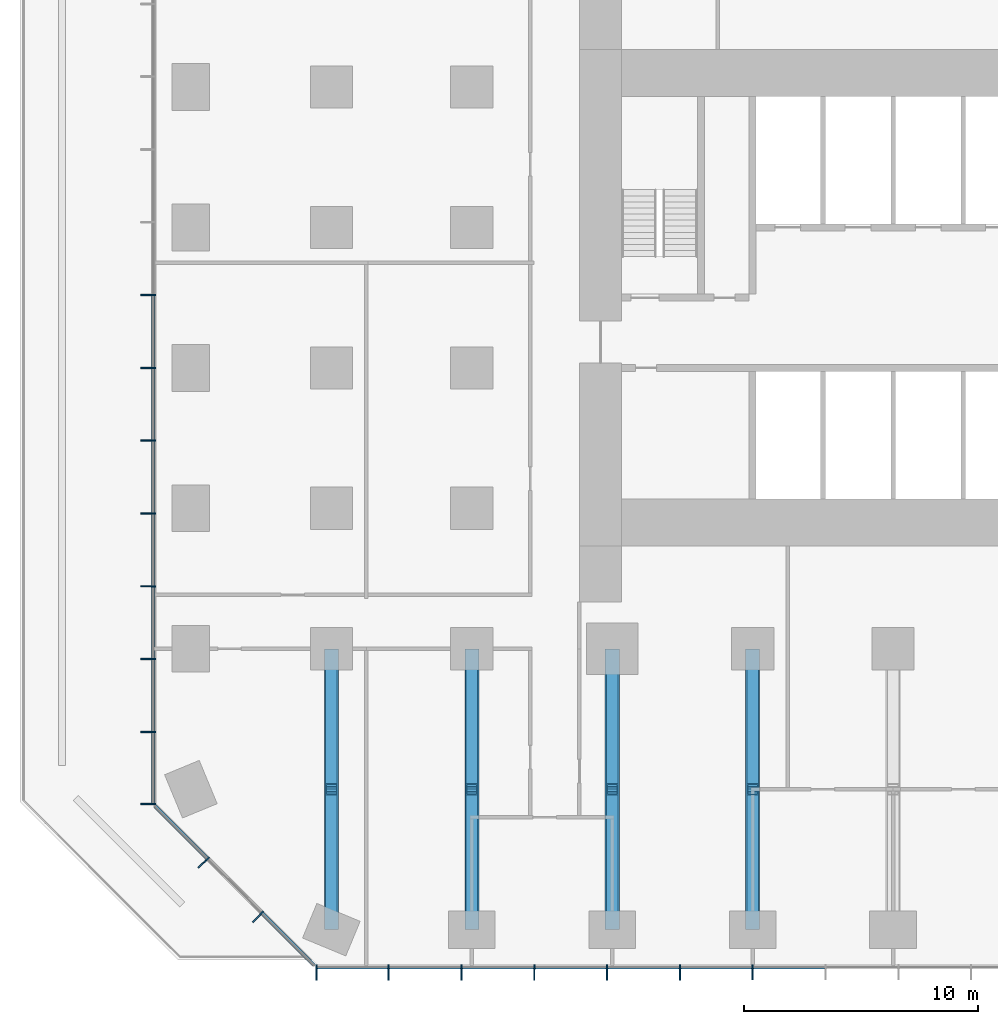
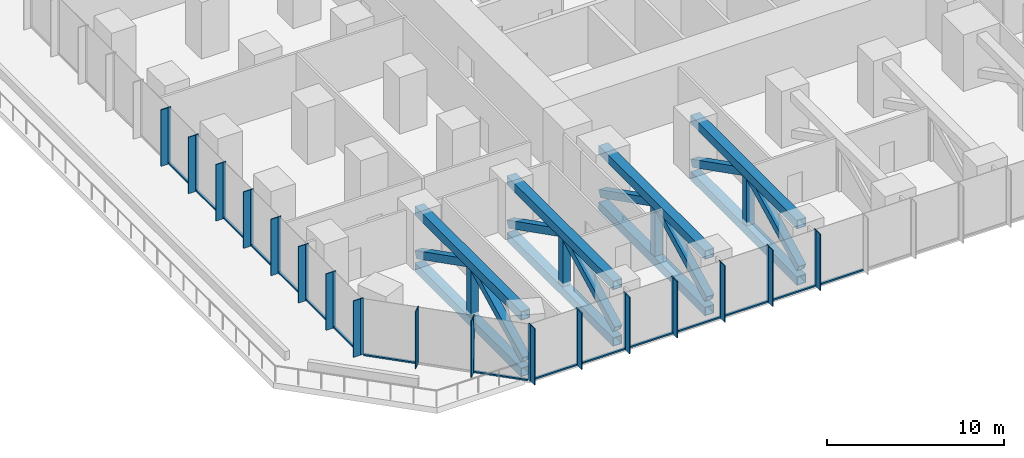
# One storey, part 2 of 11: 62 members, 8 beams, 3 elements without a shape of their own.
"""IFC4 building model written with IfcOpenShell, lengths in metres."""

import ifcopenshell
import ifcopenshell.guid

model = None  # the IFC model being written
_history = None  # IfcOwnerHistory: only IFC2X3 demands one
_inside = {}  # id of a spatial element -> (the spatial element, [elements in it])
_under = {}  # id of a project, library or spatial element -> (it, [spatial elements below it])
_declared = {}  # id of a project -> (the project, [libraries it declares])
_typed = {}  # id of a type object -> (the type object, [elements of that type])
_made_of = {}  # id of a material, layer set ... -> (it, [elements and type objects made of it])


def new_model(schema):
    """Start an empty IFC model of exactly this schema.

    Asked for "IFC4X3", IfcOpenShell would pick the latest addendum, in which some entities
    have other attributes; the version numbers below select the first issue.
    IFC2X3 requires an IfcOwnerHistory on every rooted entity: one is made here for all.
    """
    global model, _history
    if schema == "IFC4X3":
        model = ifcopenshell.file(schema_version=(4, 3, 0, 0))
    else:
        model = ifcopenshell.file(schema=schema)
    _inside.clear()
    _under.clear()
    _declared.clear()
    _typed.clear()
    _made_of.clear()
    _history = None
    if model.schema == "IFC2X3":
        org = make("IfcOrganization", Name="unknown")
        user = make(
            "IfcPersonAndOrganization",
            ThePerson=make("IfcPerson", FamilyName="unknown"),
            TheOrganization=org,
        )
        app = make(
            "IfcApplication",
            ApplicationDeveloper=org,
            Version="unknown",
            ApplicationFullName="unknown",
            ApplicationIdentifier="unknown",
        )
        _history = make(
            "IfcOwnerHistory",
            OwningUser=user,
            OwningApplication=app,
            ChangeAction="ADDED",
            CreationDate=0,
        )
    return model


def make(cls, **values):
    """One entity of the class cls with the attributes given. An attribute that is None is left unset."""
    return model.create_entity(
        cls, **{name: value for name, value in values.items() if value is not None}
    )


def rooted(cls, **values):
    """An entity with a GlobalId (a new one), such as an element, a storey or a relation."""
    return make(cls, GlobalId=ifcopenshell.guid.new(), OwnerHistory=_history, **values)


def si_unit(unit_type, name, prefix=None):
    """IfcSIUnit, for example si_unit("LENGTHUNIT", "METRE", prefix="MILLI")."""
    return make("IfcSIUnit", UnitType=unit_type, Prefix=prefix, Name=name)


def assignment(units):
    """IfcUnitAssignment: the units of a project."""
    return None if units is None else make("IfcUnitAssignment", Units=units)


def point(xyz):
    """IfcCartesianPoint."""
    return None if xyz is None else make("IfcCartesianPoint", Coordinates=xyz)


def direction(xyz):
    """IfcDirection."""
    return None if xyz is None else make("IfcDirection", DirectionRatios=xyz)


def frame(location, z_axis=None, x_axis=None):
    """IfcAxis2Placement3D, a coordinate frame: its origin and axes. An axis left out is left unset."""
    return make(
        "IfcAxis2Placement3D",
        Location=point(location),
        Axis=direction(z_axis),
        RefDirection=direction(x_axis),
    )


def frame_2d(location, x_axis=None):
    """IfcAxis2Placement2D, a coordinate frame in the plane: its origin and x axis."""
    return make(
        "IfcAxis2Placement2D", Location=point(location), RefDirection=direction(x_axis)
    )


def origin():
    """The frame at (0, 0, 0) with its axes left unset."""
    return frame((0.0, 0.0, 0.0))


def origin_2d():
    """The frame at (0, 0) in the plane with its x axis left unset."""
    return frame_2d((0.0, 0.0))


def place(relative_to, where):
    """IfcLocalPlacement: puts the frame where relative to a parent placement (None: the world)."""
    return make(
        "IfcLocalPlacement", PlacementRelTo=relative_to, RelativePlacement=where
    )


def context(
    kind, dimensions, precision=None, world=None, true_north=None, identifier=None
):
    """IfcGeometricRepresentationContext, for example the 3D "Model" context."""
    return make(
        "IfcGeometricRepresentationContext",
        ContextIdentifier=identifier,
        ContextType=kind,
        CoordinateSpaceDimension=dimensions,
        Precision=precision,
        WorldCoordinateSystem=world,
        TrueNorth=true_north,
    )


def subcontext(parent, identifier, kind, view, scale=None):
    """IfcGeometricRepresentationSubContext, for example "Body" below "Model"."""
    return make(
        "IfcGeometricRepresentationSubContext",
        ContextIdentifier=identifier,
        ContextType=kind,
        ParentContext=parent,
        TargetScale=scale,
        TargetView=view,
    )


def project(units=None, contexts=None):
    """IfcProject with its units and contexts."""
    return rooted(
        "IfcProject",
        Name="project",
        RepresentationContexts=contexts,
        UnitsInContext=assignment(units),
    )


def spatial(cls, under=None, at=None, **own):
    """A site, building, storey or space (cls), placed at a placement, below another one or the project."""
    s = rooted(cls, ObjectPlacement=at, **own)
    if under is not None:
        _under.setdefault(under.id(), (under, []))[1].append(s)
    return s


def profile(cls, at=None, kind="AREA", **sizes):
    """A parametric profile (cls). Its sizes go by their IFC names, for example OverallWidth=200.0."""
    return make(cls, ProfileType=kind, Position=at, **sizes)


def rectangle(**sizes):
    """IfcRectangleProfileDef."""
    return profile("IfcRectangleProfileDef", **sizes)


def hollow_rectangle(**sizes):
    """IfcRectangleHollowProfileDef."""
    return profile("IfcRectangleHollowProfileDef", **sizes)


def extrude(swept, where, along, depth):
    """IfcExtrudedAreaSolid: the profile swept, set in the frame where, extruded along a direction by depth."""
    return make(
        "IfcExtrudedAreaSolid",
        SweptArea=swept,
        Position=where,
        ExtrudedDirection=direction(along),
        Depth=depth,
    )


def shape(context_of_items, identifier, shape_type, items):
    """IfcShapeRepresentation: the items that make up one representation, for example the "Body"."""
    return make(
        "IfcShapeRepresentation",
        ContextOfItems=context_of_items,
        RepresentationIdentifier=identifier,
        RepresentationType=shape_type,
        Items=items,
    )


def material(Name=None, Category=None):
    """IfcMaterial."""
    return make("IfcMaterial", Name=Name, Category=Category)


def layer(
    of_material, thickness, ventilated=None, Name=None, Category=None, Priority=None
):
    """IfcMaterialLayer: one layer of a wall or slab, of a material (None: an air gap)."""
    return make(
        "IfcMaterialLayer",
        Material=of_material,
        LayerThickness=thickness,
        IsVentilated=ventilated,
        Name=Name,
        Category=Category,
        Priority=Priority,
    )


def layer_set(layers, Name=None):
    """IfcMaterialLayerSet."""
    return make("IfcMaterialLayerSet", MaterialLayers=layers, LayerSetName=Name)


def material_profile(
    of_material, cross_section, Name=None, Category=None, Priority=None
):
    """IfcMaterialProfile: a cross section and its material."""
    return make(
        "IfcMaterialProfile",
        Name=Name,
        Material=of_material,
        Profile=cross_section,
        Priority=Priority,
        Category=Category,
    )


def profile_set(profiles, Name=None, composite=None):
    """IfcMaterialProfileSet."""
    return make(
        "IfcMaterialProfileSet",
        Name=Name,
        MaterialProfiles=profiles,
        CompositeProfile=composite,
    )


def made_of(thing, what):
    """Note that an element or type object is made of a material, layer set ...; save() writes the relation."""
    if what is not None:
        _made_of.setdefault(what.id(), (what, []))[1].append(thing)
    return thing


def type_object(cls, material=None, **own):
    """A type object (cls), such as IfcWallType, which elements share."""
    return made_of(rooted(cls, **own), material)


def element(
    cls,
    number,
    at=None,
    inside=None,
    cuts=None,
    type_object=None,
    material=None,
    context=None,
    identifier="Body",
    shape_type=None,
    held_by="IfcProductDefinitionShape",
    body=None,
    shapes=None,
    **own,
):
    """One element of the class cls, such as IfcWall. Its Tag is "e" and its number.

    at: its placement. inside: the storey or other place that contains it. cuts: it is an
    opening in that element (IfcRelVoidsElement). A single representation is given by context,
    identifier, shape_type and body (its items); several are given by shapes. held_by: the class
    of the entity that holds the representations. save() writes the other relations.
    """
    e = rooted(cls, Tag="e%d" % number, ObjectPlacement=at, **own)
    if body is not None:
        shapes = [shape(context, identifier, shape_type, body)]
    if shapes is not None:
        e.Representation = make(held_by, Representations=shapes)
    if inside is not None:
        _inside.setdefault(inside.id(), (inside, []))[1].append(e)
    if cuts is not None:
        rooted(
            "IfcRelVoidsElement", RelatingBuildingElement=cuts, RelatedOpeningElement=e
        )
    if type_object is not None:
        _typed.setdefault(type_object.id(), (type_object, []))[1].append(e)
    return made_of(e, material)


def aggregate(whole, parts):
    """IfcRelAggregates: a whole, such as a stair, and the parts it consists of."""
    return rooted("IfcRelAggregates", RelatingObject=whole, RelatedObjects=parts)


def save(model, path):
    """Write the relations noted so far, then the file.

    IfcRelAggregates (storeys below a building ...), IfcRelContainedInSpatialStructure (elements
    in a storey), IfcRelDefinesByType, IfcRelAssociatesMaterial and IfcRelDeclares: one each for
    every whole, place, type object, material and project.
    """
    for whole, parts in _under.values():
        aggregate(whole, parts)
    for where, things in _inside.values():
        rooted(
            "IfcRelContainedInSpatialStructure",
            RelatedElements=things,
            RelatingStructure=where,
        )
    for kind, things in _typed.values():
        rooted("IfcRelDefinesByType", RelatedObjects=things, RelatingType=kind)
    for what, things in _made_of.values():
        rooted("IfcRelAssociatesMaterial", RelatedObjects=things, RelatingMaterial=what)
    for by, libraries in _declared.values():
        rooted("IfcRelDeclares", RelatingContext=by, RelatedDefinitions=libraries)
    model.write(path)


model = new_model("IFC4")

# Units and contexts
model_context = context("Model", 3, precision=1e-05, world=origin(), true_north=direction((0.0, 1.0)))
body_context = subcontext(model_context, "Body", "Model", "MODEL_VIEW")
ifc_project = project(units=[si_unit("LENGTHUNIT", "METRE"), si_unit("AREAUNIT", "SQUARE_METRE"), si_unit("VOLUMEUNIT", "CUBIC_METRE"), si_unit("PLANEANGLEUNIT", "RADIAN"), si_unit("MASSUNIT", "GRAM", prefix="KILO")], contexts=[model_context])

# Site, building, storey
site_placement = place(None, origin())
site = spatial("IfcSite", under=ifc_project, at=site_placement, CompositionType="ELEMENT")
building_placement = place(site_placement, origin())
building = spatial("IfcBuilding", under=site, at=building_placement, Name="Highveld Stack Headquarters", CompositionType="ELEMENT")
storey_placement = place(building_placement, frame((0.0, 0.0, 18.199951171875)))
storey = spatial("IfcBuildingStorey", under=building, at=storey_placement, Name="L03", CompositionType="ELEMENT", Elevation=18.199951171875)

# Curtain wall, members
ifc_material_1 = material(Name="Aluminium bronze anodised", Category="aluminium")
ifc_layer_1 = layer(ifc_material_1, 0.199951171875)
ifc_layer_set_1 = layer_set([ifc_layer_1], Name="Aluminium bronze anodised")
curtain_wall_type_1 = type_object("IfcCurtainWallType", Name="CW1 TOWER UNITISED CURTAIN WALL", PredefinedType="NOTDEFINED", material=ifc_layer_set_1)
curtain_wall_1_placement = place(storey_placement, origin())
curtain_wall_1 = element("IfcCurtainWall", 1, at=curtain_wall_1_placement, inside=storey, type_object=curtain_wall_type_1, Name="Curtain wall CW1 L03 S", PredefinedType="NOTDEFINED")
ifc_material_2 = material(Name="Aluminium bronze anodised", Category="aluminium")
ifc_material_profile_1 = material_profile(ifc_material_2, rectangle(XDim=0.449951171875, YDim=0.06005859375, at=origin_2d()), Name="FIN 450x60")
ifc_profile_set_1 = profile_set([ifc_material_profile_1], Name="Aluminium bronze anodised")
member_type_1 = type_object("IfcMemberType", Name="CW1 BRONZE FIN 450x60", PredefinedType="USERDEFINED", material=ifc_profile_set_1)
member_1_placement = place(storey_placement, frame((-18.630126953125, -25.925048828125, 0.0), z_axis=(0.0, 0.0, 1.0), x_axis=(0.0, 1.0, 0.0)))
member_1 = element("IfcMember", 2, at=member_1_placement, type_object=member_type_1, Name="CW1 fin L03 1", ObjectType="FIN", PredefinedType="USERDEFINED", context=body_context, shape_type="SweptSolid", body=[
    extrude(rectangle(XDim=0.449951171875, YDim=0.06005859375, at=origin_2d()), origin(), (0.0, 0.0, 1.0), 3.900146484375),
])
member_2_placement = place(storey_placement, frame((-15.55224609375, -25.925048828125, 0.0), z_axis=(0.0, 0.0, 1.0), x_axis=(0.0, 1.0, 0.0)))
member_2 = element("IfcMember", 3, at=member_2_placement, type_object=member_type_1, Name="CW1 fin L03 2", ObjectType="FIN", PredefinedType="USERDEFINED", context=body_context, shape_type="SweptSolid", body=[
    extrude(rectangle(XDim=0.449951171875, YDim=0.06005859375, at=origin_2d()), origin(), (0.0, 0.0, 1.0), 3.900146484375),
])
member_3_placement = place(storey_placement, frame((-12.44189453125, -25.925048828125, 0.0), z_axis=(0.0, 0.0, 1.0), x_axis=(0.0, 1.0, 0.0)))
member_3 = element("IfcMember", 4, at=member_3_placement, type_object=member_type_1, Name="CW1 fin L03 3", ObjectType="FIN", PredefinedType="USERDEFINED", context=body_context, shape_type="SweptSolid", body=[
    extrude(rectangle(XDim=0.449951171875, YDim=0.06005859375, at=origin_2d()), origin(), (0.0, 0.0, 1.0), 3.900146484375),
])
member_4_placement = place(storey_placement, frame((-9.331298828125, -25.925048828125, 0.0), z_axis=(0.0, 0.0, 1.0), x_axis=(0.0, 1.0, 0.0)))
member_4 = element("IfcMember", 5, at=member_4_placement, type_object=member_type_1, Name="CW1 fin L03 4", ObjectType="FIN", PredefinedType="USERDEFINED", context=body_context, shape_type="SweptSolid", body=[
    extrude(rectangle(XDim=0.449951171875, YDim=0.06005859375, at=origin_2d()), origin(), (0.0, 0.0, 1.0), 3.900146484375),
])
member_5_placement = place(storey_placement, frame((-6.220947265625, -25.925048828125, 0.0), z_axis=(0.0, 0.0, 1.0), x_axis=(0.0, 1.0, 0.0)))
member_5 = element("IfcMember", 6, at=member_5_placement, type_object=member_type_1, Name="CW1 fin L03 5", ObjectType="FIN", PredefinedType="USERDEFINED", context=body_context, shape_type="SweptSolid", body=[
    extrude(rectangle(XDim=0.449951171875, YDim=0.06005859375, at=origin_2d()), origin(), (0.0, 0.0, 1.0), 3.900146484375),
])
member_6_placement = place(storey_placement, frame((-3.110595703125, -25.925048828125, 0.0), z_axis=(0.0, 0.0, 1.0), x_axis=(0.0, 1.0, 0.0)))
member_6 = element("IfcMember", 7, at=member_6_placement, type_object=member_type_1, Name="CW1 fin L03 6", ObjectType="FIN", PredefinedType="USERDEFINED", context=body_context, shape_type="SweptSolid", body=[
    extrude(rectangle(XDim=0.449951171875, YDim=0.06005859375, at=origin_2d()), origin(), (0.0, 0.0, 1.0), 3.900146484375),
])
member_7_placement = place(storey_placement, frame((0.0, -25.925048828125, 0.0), z_axis=(0.0, 0.0, 1.0), x_axis=(0.0, 1.0, 0.0)))
member_7 = element("IfcMember", 8, at=member_7_placement, type_object=member_type_1, Name="CW1 fin L03 7", ObjectType="FIN", PredefinedType="USERDEFINED", context=body_context, shape_type="SweptSolid", body=[
    extrude(rectangle(XDim=0.449951171875, YDim=0.06005859375, at=origin_2d()), origin(), (0.0, 0.0, 1.0), 3.900146484375),
])

curtain_wall_2_placement = place(storey_placement, origin())
curtain_wall_2 = element("IfcCurtainWall", 9, at=curtain_wall_2_placement, inside=storey, type_object=curtain_wall_type_1, Name="Curtain wall CW1 L03 W", PredefinedType="NOTDEFINED")
member_8_placement = place(storey_placement, frame((-25.925048828125, 3.110595703125, 0.0), z_axis=(0.0, 0.0, 1.0), x_axis=(1.0, 0.0, 0.0)))
member_8 = element("IfcMember", 10, at=member_8_placement, type_object=member_type_1, Name="CW1 fin L03 6", ObjectType="FIN", PredefinedType="USERDEFINED", context=body_context, shape_type="SweptSolid", body=[
    extrude(rectangle(XDim=0.449951171875, YDim=0.06005859375, at=origin_2d()), origin(), (0.0, 0.0, 1.0), 3.900146484375),
])
member_9_placement = place(storey_placement, frame((-25.925048828125, 0.0, 0.0), z_axis=(0.0, 0.0, 1.0), x_axis=(1.0, 0.0, 0.0)))
member_9 = element("IfcMember", 11, at=member_9_placement, type_object=member_type_1, Name="CW1 fin L03 7", ObjectType="FIN", PredefinedType="USERDEFINED", context=body_context, shape_type="SweptSolid", body=[
    extrude(rectangle(XDim=0.449951171875, YDim=0.06005859375, at=origin_2d()), origin(), (0.0, 0.0, 1.0), 3.900146484375),
])
member_10_placement = place(storey_placement, frame((-25.925048828125, -3.110595703125, 0.0), z_axis=(0.0, 0.0, 1.0), x_axis=(1.0, 0.0, 0.0)))
member_10 = element("IfcMember", 12, at=member_10_placement, type_object=member_type_1, Name="CW1 fin L03 8", ObjectType="FIN", PredefinedType="USERDEFINED", context=body_context, shape_type="SweptSolid", body=[
    extrude(rectangle(XDim=0.449951171875, YDim=0.06005859375, at=origin_2d()), origin(), (0.0, 0.0, 1.0), 3.900146484375),
])
member_11_placement = place(storey_placement, frame((-25.925048828125, -6.220947265625, 0.0), z_axis=(0.0, 0.0, 1.0), x_axis=(1.0, 0.0, 0.0)))
member_11 = element("IfcMember", 13, at=member_11_placement, type_object=member_type_1, Name="CW1 fin L03 9", ObjectType="FIN", PredefinedType="USERDEFINED", context=body_context, shape_type="SweptSolid", body=[
    extrude(rectangle(XDim=0.449951171875, YDim=0.06005859375, at=origin_2d()), origin(), (0.0, 0.0, 1.0), 3.900146484375),
])
member_12_placement = place(storey_placement, frame((-25.925048828125, -9.331298828125, 0.0), z_axis=(0.0, 0.0, 1.0), x_axis=(1.0, 0.0, 0.0)))
member_12 = element("IfcMember", 14, at=member_12_placement, type_object=member_type_1, Name="CW1 fin L03 10", ObjectType="FIN", PredefinedType="USERDEFINED", context=body_context, shape_type="SweptSolid", body=[
    extrude(rectangle(XDim=0.449951171875, YDim=0.06005859375, at=origin_2d()), origin(), (0.0, 0.0, 1.0), 3.900146484375),
])
member_13_placement = place(storey_placement, frame((-25.925048828125, -12.44189453125, 0.0), z_axis=(0.0, 0.0, 1.0), x_axis=(1.0, 0.0, 0.0)))
member_13 = element("IfcMember", 15, at=member_13_placement, type_object=member_type_1, Name="CW1 fin L03 11", ObjectType="FIN", PredefinedType="USERDEFINED", context=body_context, shape_type="SweptSolid", body=[
    extrude(rectangle(XDim=0.449951171875, YDim=0.06005859375, at=origin_2d()), origin(), (0.0, 0.0, 1.0), 3.900146484375),
])
member_14_placement = place(storey_placement, frame((-25.925048828125, -15.55224609375, 0.0), z_axis=(0.0, 0.0, 1.0), x_axis=(1.0, 0.0, 0.0)))
member_14 = element("IfcMember", 16, at=member_14_placement, type_object=member_type_1, Name="CW1 fin L03 12", ObjectType="FIN", PredefinedType="USERDEFINED", context=body_context, shape_type="SweptSolid", body=[
    extrude(rectangle(XDim=0.449951171875, YDim=0.06005859375, at=origin_2d()), origin(), (0.0, 0.0, 1.0), 3.900146484375),
])
member_15_placement = place(storey_placement, frame((-25.925048828125, -18.630126953125, 0.0), z_axis=(0.0, 0.0, 1.0), x_axis=(1.0, 0.0, 0.0)))
member_15 = element("IfcMember", 17, at=member_15_placement, type_object=member_type_1, Name="CW1 fin L03 13", ObjectType="FIN", PredefinedType="USERDEFINED", context=body_context, shape_type="SweptSolid", body=[
    extrude(rectangle(XDim=0.449951171875, YDim=0.06005859375, at=origin_2d()), origin(), (0.0, 0.0, 1.0), 3.900146484375),
])

# Member
ifc_material_3 = material(Name="Aluminium bronze anodised", Category="aluminium")
ifc_material_profile_2 = material_profile(ifc_material_3, rectangle(XDim=0.199951171875, YDim=0.06494140625, at=origin_2d()), Name="CW1 MULLION 65x200")
ifc_profile_set_2 = profile_set([ifc_material_profile_2], Name="Aluminium bronze anodised")
member_type_2 = type_object("IfcMemberType", Name="CW1 MULLION 65x200", PredefinedType="MULLION", material=ifc_profile_set_2)
member_16_placement = place(storey_placement, frame((-18.630126953125, -25.60009765625, 0.0), z_axis=(0.0, 0.0, 1.0), x_axis=(0.0, 1.0, 0.0)))
member_16 = element("IfcMember", 18, at=member_16_placement, type_object=member_type_2, Name="CW1 mullion L03 1", PredefinedType="MULLION", context=body_context, shape_type="SweptSolid", body=[
    extrude(rectangle(XDim=0.199951171875, YDim=0.06494140625, at=origin_2d()), origin(), (0.0, 0.0, 1.0), 3.900146484375),
])

member_17_placement = place(storey_placement, frame((-15.55224609375, -25.60009765625, 0.0), z_axis=(0.0, 0.0, 1.0), x_axis=(0.0, 1.0, 0.0)))
member_17 = element("IfcMember", 19, at=member_17_placement, type_object=member_type_2, Name="CW1 mullion L03 2", PredefinedType="MULLION", context=body_context, shape_type="SweptSolid", body=[
    extrude(rectangle(XDim=0.199951171875, YDim=0.06494140625, at=origin_2d()), origin(), (0.0, 0.0, 1.0), 3.900146484375),
])

member_18_placement = place(storey_placement, frame((-12.44189453125, -25.60009765625, 0.0), z_axis=(0.0, 0.0, 1.0), x_axis=(0.0, 1.0, 0.0)))
member_18 = element("IfcMember", 20, at=member_18_placement, type_object=member_type_2, Name="CW1 mullion L03 3", PredefinedType="MULLION", context=body_context, shape_type="SweptSolid", body=[
    extrude(rectangle(XDim=0.199951171875, YDim=0.06494140625, at=origin_2d()), origin(), (0.0, 0.0, 1.0), 3.900146484375),
])

member_19_placement = place(storey_placement, frame((-9.331298828125, -25.60009765625, 0.0), z_axis=(0.0, 0.0, 1.0), x_axis=(0.0, 1.0, 0.0)))
member_19 = element("IfcMember", 21, at=member_19_placement, type_object=member_type_2, Name="CW1 mullion L03 4", PredefinedType="MULLION", context=body_context, shape_type="SweptSolid", body=[
    extrude(rectangle(XDim=0.199951171875, YDim=0.06494140625, at=origin_2d()), origin(), (0.0, 0.0, 1.0), 3.900146484375),
])

member_20_placement = place(storey_placement, frame((-6.220947265625, -25.60009765625, 0.0), z_axis=(0.0, 0.0, 1.0), x_axis=(0.0, 1.0, 0.0)))
member_20 = element("IfcMember", 22, at=member_20_placement, type_object=member_type_2, Name="CW1 mullion L03 5", PredefinedType="MULLION", context=body_context, shape_type="SweptSolid", body=[
    extrude(rectangle(XDim=0.199951171875, YDim=0.06494140625, at=origin_2d()), origin(), (0.0, 0.0, 1.0), 3.900146484375),
])

member_21_placement = place(storey_placement, frame((-3.110595703125, -25.60009765625, 0.0), z_axis=(0.0, 0.0, 1.0), x_axis=(0.0, 1.0, 0.0)))
member_21 = element("IfcMember", 23, at=member_21_placement, type_object=member_type_2, Name="CW1 mullion L03 6", PredefinedType="MULLION", context=body_context, shape_type="SweptSolid", body=[
    extrude(rectangle(XDim=0.199951171875, YDim=0.06494140625, at=origin_2d()), origin(), (0.0, 0.0, 1.0), 3.900146484375),
])

member_22_placement = place(storey_placement, frame((0.0, -25.60009765625, 0.0), z_axis=(0.0, 0.0, 1.0), x_axis=(0.0, 1.0, 0.0)))
member_22 = element("IfcMember", 24, at=member_22_placement, type_object=member_type_2, Name="CW1 mullion L03 7", PredefinedType="MULLION", context=body_context, shape_type="SweptSolid", body=[
    extrude(rectangle(XDim=0.199951171875, YDim=0.06494140625, at=origin_2d()), origin(), (0.0, 0.0, 1.0), 3.900146484375),
])

member_23_placement = place(storey_placement, frame((-25.60009765625, 3.110595703125, 0.0), z_axis=(0.0, 0.0, 1.0), x_axis=(1.0, 0.0, 0.0)))
member_23 = element("IfcMember", 25, at=member_23_placement, type_object=member_type_2, Name="CW1 mullion L03 6", PredefinedType="MULLION", context=body_context, shape_type="SweptSolid", body=[
    extrude(rectangle(XDim=0.199951171875, YDim=0.06494140625, at=origin_2d()), origin(), (0.0, 0.0, 1.0), 3.900146484375),
])

member_24_placement = place(storey_placement, frame((-25.60009765625, 0.0, 0.0), z_axis=(0.0, 0.0, 1.0), x_axis=(1.0, 0.0, 0.0)))
member_24 = element("IfcMember", 26, at=member_24_placement, type_object=member_type_2, Name="CW1 mullion L03 7", PredefinedType="MULLION", context=body_context, shape_type="SweptSolid", body=[
    extrude(rectangle(XDim=0.199951171875, YDim=0.06494140625, at=origin_2d()), origin(), (0.0, 0.0, 1.0), 3.900146484375),
])

member_25_placement = place(storey_placement, frame((-25.60009765625, -3.110595703125, 0.0), z_axis=(0.0, 0.0, 1.0), x_axis=(1.0, 0.0, 0.0)))
member_25 = element("IfcMember", 27, at=member_25_placement, type_object=member_type_2, Name="CW1 mullion L03 8", PredefinedType="MULLION", context=body_context, shape_type="SweptSolid", body=[
    extrude(rectangle(XDim=0.199951171875, YDim=0.06494140625, at=origin_2d()), origin(), (0.0, 0.0, 1.0), 3.900146484375),
])

member_26_placement = place(storey_placement, frame((-25.60009765625, -6.220947265625, 0.0), z_axis=(0.0, 0.0, 1.0), x_axis=(1.0, 0.0, 0.0)))
member_26 = element("IfcMember", 28, at=member_26_placement, type_object=member_type_2, Name="CW1 mullion L03 9", PredefinedType="MULLION", context=body_context, shape_type="SweptSolid", body=[
    extrude(rectangle(XDim=0.199951171875, YDim=0.06494140625, at=origin_2d()), origin(), (0.0, 0.0, 1.0), 3.900146484375),
])

member_27_placement = place(storey_placement, frame((-25.60009765625, -9.331298828125, 0.0), z_axis=(0.0, 0.0, 1.0), x_axis=(1.0, 0.0, 0.0)))
member_27 = element("IfcMember", 29, at=member_27_placement, type_object=member_type_2, Name="CW1 mullion L03 10", PredefinedType="MULLION", context=body_context, shape_type="SweptSolid", body=[
    extrude(rectangle(XDim=0.199951171875, YDim=0.06494140625, at=origin_2d()), origin(), (0.0, 0.0, 1.0), 3.900146484375),
])

member_28_placement = place(storey_placement, frame((-25.60009765625, -12.44189453125, 0.0), z_axis=(0.0, 0.0, 1.0), x_axis=(1.0, 0.0, 0.0)))
member_28 = element("IfcMember", 30, at=member_28_placement, type_object=member_type_2, Name="CW1 mullion L03 11", PredefinedType="MULLION", context=body_context, shape_type="SweptSolid", body=[
    extrude(rectangle(XDim=0.199951171875, YDim=0.06494140625, at=origin_2d()), origin(), (0.0, 0.0, 1.0), 3.900146484375),
])

member_29_placement = place(storey_placement, frame((-25.60009765625, -15.55224609375, 0.0), z_axis=(0.0, 0.0, 1.0), x_axis=(1.0, 0.0, 0.0)))
member_29 = element("IfcMember", 31, at=member_29_placement, type_object=member_type_2, Name="CW1 mullion L03 12", PredefinedType="MULLION", context=body_context, shape_type="SweptSolid", body=[
    extrude(rectangle(XDim=0.199951171875, YDim=0.06494140625, at=origin_2d()), origin(), (0.0, 0.0, 1.0), 3.900146484375),
])

member_30_placement = place(storey_placement, frame((-25.60009765625, -18.630126953125, 0.0), z_axis=(0.0, 0.0, 1.0), x_axis=(1.0, 0.0, 0.0)))
member_30 = element("IfcMember", 32, at=member_30_placement, type_object=member_type_2, Name="CW1 mullion L03 13", PredefinedType="MULLION", context=body_context, shape_type="SweptSolid", body=[
    extrude(rectangle(XDim=0.199951171875, YDim=0.06494140625, at=origin_2d()), origin(), (0.0, 0.0, 1.0), 3.900146484375),
])

ifc_material_4 = material(Name="Aluminium bronze anodised", Category="aluminium")
ifc_material_profile_3 = material_profile(ifc_material_4, rectangle(XDim=0.14990234375, YDim=0.10009765625, at=origin_2d()), Name="CW1 TRANSOM 150x100")
ifc_profile_set_3 = profile_set([ifc_material_profile_3], Name="Aluminium bronze anodised")
member_type_3 = type_object("IfcMemberType", Name="CW1 STACK TRANSOM 150x100", PredefinedType="USERDEFINED", material=ifc_profile_set_3)
member_31_placement = place(storey_placement, frame((-18.59765625, -25.60009765625, 0.050048828125), z_axis=(1.0, 0.0, 0.0), x_axis=(0.0, 1.0, 0.0)))
member_31 = element("IfcMember", 33, at=member_31_placement, type_object=member_type_3, Name="CW1 transom L03 1.1", ObjectType="TRANSOM", PredefinedType="USERDEFINED", context=body_context, shape_type="SweptSolid", body=[
    extrude(rectangle(XDim=0.14990234375, YDim=0.10009765625, at=origin_2d()), origin(), (0.0, 0.0, 1.0), 3.012939453125),
])

member_32_placement = place(storey_placement, frame((-15.519775390625, -25.60009765625, 0.050048828125), z_axis=(1.0, 0.0, 0.0), x_axis=(0.0, 1.0, 0.0)))
member_32 = element("IfcMember", 34, at=member_32_placement, type_object=member_type_3, Name="CW1 transom L03 2.1", ObjectType="TRANSOM", PredefinedType="USERDEFINED", context=body_context, shape_type="SweptSolid", body=[
    extrude(rectangle(XDim=0.14990234375, YDim=0.10009765625, at=origin_2d()), origin(), (0.0, 0.0, 1.0), 3.04541015625),
])

member_33_placement = place(storey_placement, frame((-12.4091796875, -25.60009765625, 0.050048828125), z_axis=(1.0, 0.0, 0.0), x_axis=(0.0, 1.0, 0.0)))
member_33 = element("IfcMember", 35, at=member_33_placement, type_object=member_type_3, Name="CW1 transom L03 3.1", ObjectType="TRANSOM", PredefinedType="USERDEFINED", context=body_context, shape_type="SweptSolid", body=[
    extrude(rectangle(XDim=0.14990234375, YDim=0.10009765625, at=origin_2d()), origin(), (0.0, 0.0, 1.0), 3.045166015625),
])

member_34_placement = place(storey_placement, frame((-9.298828125, -25.60009765625, 0.050048828125), z_axis=(1.0, 0.0, 0.0), x_axis=(0.0, 1.0, 0.0)))
member_34 = element("IfcMember", 36, at=member_34_placement, type_object=member_type_3, Name="CW1 transom L03 4.1", ObjectType="TRANSOM", PredefinedType="USERDEFINED", context=body_context, shape_type="SweptSolid", body=[
    extrude(rectangle(XDim=0.14990234375, YDim=0.10009765625, at=origin_2d()), origin(), (0.0, 0.0, 1.0), 3.04541015625),
])

member_35_placement = place(storey_placement, frame((-6.1884765625, -25.60009765625, 0.050048828125), z_axis=(1.0, 0.0, 0.0), x_axis=(0.0, 1.0, 0.0)))
member_35 = element("IfcMember", 37, at=member_35_placement, type_object=member_type_3, Name="CW1 transom L03 5.1", ObjectType="TRANSOM", PredefinedType="USERDEFINED", context=body_context, shape_type="SweptSolid", body=[
    extrude(rectangle(XDim=0.14990234375, YDim=0.10009765625, at=origin_2d()), origin(), (0.0, 0.0, 1.0), 3.04541015625),
])

member_36_placement = place(storey_placement, frame((-3.077880859375, -25.60009765625, 0.050048828125), z_axis=(1.0, 0.0, 0.0), x_axis=(0.0, 1.0, 0.0)))
member_36 = element("IfcMember", 38, at=member_36_placement, type_object=member_type_3, Name="CW1 transom L03 6.1", ObjectType="TRANSOM", PredefinedType="USERDEFINED", context=body_context, shape_type="SweptSolid", body=[
    extrude(rectangle(XDim=0.14990234375, YDim=0.10009765625, at=origin_2d()), origin(), (0.0, 0.0, 1.0), 3.04541015625),
])

member_37_placement = place(storey_placement, frame((0.032470703125, -25.60009765625, 0.050048828125), z_axis=(1.0, 0.0, 0.0), x_axis=(0.0, 1.0, 0.0)))
member_37 = element("IfcMember", 39, at=member_37_placement, type_object=member_type_3, Name="CW1 transom L03 7.1", ObjectType="TRANSOM", PredefinedType="USERDEFINED", context=body_context, shape_type="SweptSolid", body=[
    extrude(rectangle(XDim=0.14990234375, YDim=0.10009765625, at=origin_2d()), origin(), (0.0, 0.0, 1.0), 3.04541015625),
])

aggregate(curtain_wall_1, [member_16, member_1, member_17, member_2, member_18, member_3, member_19, member_4, member_20, member_5, member_21, member_6, member_22, member_7, member_31, member_32, member_33, member_34, member_35, member_36, member_37])

member_38_placement = place(storey_placement, frame((-25.60009765625, 3.077880859375, 0.050048828125), z_axis=(0.0, -1.0, 0.0), x_axis=(1.0, 0.0, 0.0)))
member_38 = element("IfcMember", 40, at=member_38_placement, type_object=member_type_3, Name="CW1 transom L03 6.1", ObjectType="TRANSOM", PredefinedType="USERDEFINED", context=body_context, shape_type="SweptSolid", body=[
    extrude(rectangle(XDim=0.14990234375, YDim=0.10009765625, at=origin_2d()), origin(), (0.0, 0.0, 1.0), 3.04541015625),
])

member_39_placement = place(storey_placement, frame((-25.60009765625, -0.032470703125, 0.050048828125), z_axis=(0.0, -1.0, 0.0), x_axis=(1.0, 0.0, 0.0)))
member_39 = element("IfcMember", 41, at=member_39_placement, type_object=member_type_3, Name="CW1 transom L03 7.1", ObjectType="TRANSOM", PredefinedType="USERDEFINED", context=body_context, shape_type="SweptSolid", body=[
    extrude(rectangle(XDim=0.14990234375, YDim=0.10009765625, at=origin_2d()), origin(), (0.0, 0.0, 1.0), 3.04541015625),
])

member_40_placement = place(storey_placement, frame((-25.60009765625, -3.142822265625, 0.050048828125), z_axis=(0.0, -1.0, 0.0), x_axis=(1.0, 0.0, 0.0)))
member_40 = element("IfcMember", 42, at=member_40_placement, type_object=member_type_3, Name="CW1 transom L03 8.1", ObjectType="TRANSOM", PredefinedType="USERDEFINED", context=body_context, shape_type="SweptSolid", body=[
    extrude(rectangle(XDim=0.14990234375, YDim=0.10009765625, at=origin_2d()), origin(), (0.0, 0.0, 1.0), 3.045654296875),
])

member_41_placement = place(storey_placement, frame((-25.60009765625, -6.25341796875, 0.050048828125), z_axis=(0.0, -1.0, 0.0), x_axis=(1.0, 0.0, 0.0)))
member_41 = element("IfcMember", 43, at=member_41_placement, type_object=member_type_3, Name="CW1 transom L03 9.1", ObjectType="TRANSOM", PredefinedType="USERDEFINED", context=body_context, shape_type="SweptSolid", body=[
    extrude(rectangle(XDim=0.14990234375, YDim=0.10009765625, at=origin_2d()), origin(), (0.0, 0.0, 1.0), 3.04541015625),
])

member_42_placement = place(storey_placement, frame((-25.60009765625, -9.36376953125, 0.050048828125), z_axis=(0.0, -1.0, 0.0), x_axis=(1.0, 0.0, 0.0)))
member_42 = element("IfcMember", 44, at=member_42_placement, type_object=member_type_3, Name="CW1 transom L03 10.1", ObjectType="TRANSOM", PredefinedType="USERDEFINED", context=body_context, shape_type="SweptSolid", body=[
    extrude(rectangle(XDim=0.14990234375, YDim=0.10009765625, at=origin_2d()), origin(), (0.0, 0.0, 1.0), 3.04541015625),
])

member_43_placement = place(storey_placement, frame((-25.60009765625, -12.474365234375, 0.050048828125), z_axis=(0.0, -1.0, 0.0), x_axis=(1.0, 0.0, 0.0)))
member_43 = element("IfcMember", 45, at=member_43_placement, type_object=member_type_3, Name="CW1 transom L03 11.1", ObjectType="TRANSOM", PredefinedType="USERDEFINED", context=body_context, shape_type="SweptSolid", body=[
    extrude(rectangle(XDim=0.14990234375, YDim=0.10009765625, at=origin_2d()), origin(), (0.0, 0.0, 1.0), 3.04541015625),
])

member_44_placement = place(storey_placement, frame((-25.60009765625, -15.584716796875, 0.050048828125), z_axis=(0.0, -1.0, 0.0), x_axis=(1.0, 0.0, 0.0)))
member_44 = element("IfcMember", 46, at=member_44_placement, type_object=member_type_3, Name="CW1 transom L03 12.1", ObjectType="TRANSOM", PredefinedType="USERDEFINED", context=body_context, shape_type="SweptSolid", body=[
    extrude(rectangle(XDim=0.14990234375, YDim=0.10009765625, at=origin_2d()), origin(), (0.0, 0.0, 1.0), 3.012939453125),
])

aggregate(curtain_wall_2, [member_23, member_8, member_24, member_9, member_25, member_10, member_26, member_11, member_27, member_12, member_28, member_13, member_29, member_14, member_30, member_15, member_38, member_39, member_40, member_41, member_42, member_43, member_44])

# Curtain wall, members
ifc_material_5 = material(Name="Aluminium bronze anodised", Category="aluminium")
ifc_layer_2 = layer(ifc_material_5, 0.199951171875)
ifc_layer_set_2 = layer_set([ifc_layer_2], Name="Aluminium bronze anodised")
curtain_wall_type_2 = type_object("IfcCurtainWallType", Name="CW2 TOWER CHAMFER UNITISED CURTAIN WALL", PredefinedType="NOTDEFINED", material=ifc_layer_set_2)
curtain_wall_3_placement = place(storey_placement, origin())
curtain_wall_3 = element("IfcCurtainWall", 47, at=curtain_wall_3_placement, inside=storey, type_object=curtain_wall_type_2, Name="Curtain wall CW2 L03 SW", PredefinedType="NOTDEFINED")
ifc_material_6 = material(Name="Aluminium bronze anodised", Category="aluminium")
ifc_material_profile_4 = material_profile(ifc_material_6, rectangle(XDim=0.449951171875, YDim=0.06005859375, at=origin_2d()), Name="FIN 450x60")
ifc_profile_set_4 = profile_set([ifc_material_profile_4], Name="Aluminium bronze anodised")
member_type_4 = type_object("IfcMemberType", Name="CW2 BRONZE FIN 450x60", PredefinedType="USERDEFINED", material=ifc_profile_set_4)
member_45_placement = place(storey_placement, frame((-23.517333984375, -21.204833984375, 0.0), z_axis=(0.0, 0.0, 1.0), x_axis=(0.707106781187, 0.707106781187, 0.0)))
member_45 = element("IfcMember", 48, at=member_45_placement, type_object=member_type_4, Name="CW2 fin L03 1", ObjectType="FIN", PredefinedType="USERDEFINED", context=body_context, shape_type="SweptSolid", body=[
    extrude(rectangle(XDim=0.449951171875, YDim=0.06005859375, at=origin_2d()), origin(), (0.0, 0.0, 1.0), 3.900146484375),
])
member_46_placement = place(storey_placement, frame((-21.204833984375, -23.517333984375, 0.0), z_axis=(0.0, 0.0, 1.0), x_axis=(0.707106781187, 0.707106781187, 0.0)))
member_46 = element("IfcMember", 49, at=member_46_placement, type_object=member_type_4, Name="CW2 fin L03 2", ObjectType="FIN", PredefinedType="USERDEFINED", context=body_context, shape_type="SweptSolid", body=[
    extrude(rectangle(XDim=0.449951171875, YDim=0.06005859375, at=origin_2d()), origin(), (0.0, 0.0, 1.0), 3.900146484375),
])
ifc_material_7 = material(Name="Aluminium bronze anodised", Category="aluminium")
ifc_material_profile_5 = material_profile(ifc_material_7, rectangle(XDim=0.199951171875, YDim=0.06494140625, at=origin_2d()), Name="CW2 MULLION 65x200")
ifc_profile_set_5 = profile_set([ifc_material_profile_5], Name="Aluminium bronze anodised")
member_type_5 = type_object("IfcMemberType", Name="CW2 MULLION 65x200", PredefinedType="MULLION", material=ifc_profile_set_5)
member_47_placement = place(storey_placement, frame((-23.28759765625, -20.97509765625, 0.0), z_axis=(0.0, 0.0, 1.0), x_axis=(0.707106781187, 0.707106781187, 0.0)))
member_47 = element("IfcMember", 50, at=member_47_placement, type_object=member_type_5, Name="CW2 mullion L03 1", PredefinedType="MULLION", context=body_context, shape_type="SweptSolid", body=[
    extrude(rectangle(XDim=0.199951171875, YDim=0.06494140625, at=origin_2d()), origin(), (0.0, 0.0, 1.0), 3.900146484375),
])
member_48_placement = place(storey_placement, frame((-20.97509765625, -23.28759765625, 0.0), z_axis=(0.0, 0.0, 1.0), x_axis=(0.707106781187, 0.707106781187, 0.0)))
member_48 = element("IfcMember", 51, at=member_48_placement, type_object=member_type_5, Name="CW2 mullion L03 2", PredefinedType="MULLION", context=body_context, shape_type="SweptSolid", body=[
    extrude(rectangle(XDim=0.199951171875, YDim=0.06494140625, at=origin_2d()), origin(), (0.0, 0.0, 1.0), 3.900146484375),
])
ifc_material_8 = material(Name="Aluminium bronze anodised", Category="aluminium")
ifc_material_profile_6 = material_profile(ifc_material_8, rectangle(XDim=0.14990234375, YDim=0.10009765625, at=origin_2d()), Name="CW2 TRANSOM 150x100")
ifc_profile_set_6 = profile_set([ifc_material_profile_6], Name="Aluminium bronze anodised")
member_type_6 = type_object("IfcMemberType", Name="CW2 STACK TRANSOM 150x100", PredefinedType="USERDEFINED", material=ifc_profile_set_6)
member_49_placement = place(storey_placement, frame((-25.529296875, -18.7333984375, 0.050048828125), z_axis=(0.707106781187, -0.707106781187, 0.0), x_axis=(0.707106781187, 0.707106781187, 0.0)))
member_49 = element("IfcMember", 52, at=member_49_placement, type_object=member_type_6, Name="CW2 transom L03 1.1", ObjectType="TRANSOM", PredefinedType="USERDEFINED", context=body_context, shape_type="SweptSolid", body=[
    extrude(rectangle(XDim=0.14990234375, YDim=0.10009765625, at=origin_2d()), origin(), (0.0, 0.0, 1.0), 3.1376953125),
])
member_50_placement = place(storey_placement, frame((-20.9521484375, -23.310546875, 0.050048828125), z_axis=(0.707106781187, -0.707106781187, 0.0), x_axis=(0.707106781187, 0.707106781187, 0.0)))
member_50 = element("IfcMember", 53, at=member_50_placement, type_object=member_type_6, Name="CW2 transom L03 3.1", ObjectType="TRANSOM", PredefinedType="USERDEFINED", context=body_context, shape_type="SweptSolid", body=[
    extrude(rectangle(XDim=0.14990234375, YDim=0.10009765625, at=origin_2d()), origin(), (0.0, 0.0, 1.0), 3.1376953125),
])
aggregate(curtain_wall_3, [member_47, member_45, member_48, member_46, member_49, member_50])

# Beams
ifc_material_9 = material(Name="Steel S355JR", Category="steel")
ifc_material_profile_7 = material_profile(ifc_material_9, hollow_rectangle(XDim=0.60009765625, YDim=0.60009765625, WallThickness=0.0400390625, at=origin_2d()), Name="BOX 600x600x40")
ifc_profile_set_7 = profile_set([ifc_material_profile_7], Name="Steel S355JR")
beam_type = type_object("IfcBeamType", Name="TRANSFER TRUSS CHORD BOX 600x600x40", PredefinedType="BEAM", material=ifc_profile_set_7)
for number, where, z_axis, x_axis, name in (
    (54, (-18.0, -24.0, -0.550048828125), (0.0, 1.0, 0.0), (-1.0, 0.0, 0.0), "Transfer truss bottom chord 3/B"),
    (55, (-18.0, -24.0, 3.35009765625), (0.0, 1.0, 0.0), (-1.0, 0.0, 0.0), "Transfer truss top chord 3/B"),
    (56, (-12.0, -24.0, -0.550048828125), (0.0, 1.0, 0.0), (-1.0, 0.0, 0.0), "Transfer truss bottom chord 4/B"),
    (57, (-12.0, -24.0, 3.35009765625), (0.0, 1.0, 0.0), (-1.0, 0.0, 0.0), "Transfer truss top chord 4/B"),
    (58, (-6.0, -24.0, -0.550048828125), (0.0, 1.0, 0.0), (-1.0, 0.0, 0.0), "Transfer truss bottom chord 5/B"),
    (59, (-6.0, -24.0, 3.35009765625), (0.0, 1.0, 0.0), (-1.0, 0.0, 0.0), "Transfer truss top chord 5/B"),
    (60, (0.0, -24.0, -0.550048828125), (0.0, 1.0, 0.0), (-1.0, 0.0, 0.0), "Transfer truss bottom chord 6/B"),
    (61, (0.0, -24.0, 3.35009765625), (0.0, 1.0, 0.0), (-1.0, 0.0, 0.0), "Transfer truss top chord 6/B"),
):
    element("IfcBeam", number, at=place(storey_placement, frame(where, z_axis=z_axis, x_axis=x_axis)), inside=storey, type_object=beam_type, Name=name, PredefinedType="BEAM", context=body_context, shape_type="SweptSolid", body=[
        extrude(hollow_rectangle(XDim=0.60009765625, YDim=0.60009765625, WallThickness=0.0400390625, at=origin_2d()), origin(), (0.0, 0.0, 1.0), 12.0),
    ])

# Members
ifc_material_10 = material(Name="Steel S355JR", Category="steel")
ifc_material_profile_8 = material_profile(ifc_material_10, hollow_rectangle(XDim=0.5, YDim=0.5, WallThickness=0.0400390625, at=origin_2d()), Name="BOX 500x500x40")
ifc_profile_set_8 = profile_set([ifc_material_profile_8], Name="Steel S355JR")
member_type_7 = type_object("IfcMemberType", Name="TRANSFER TRUSS DIAGONAL BOX 500x500x40", PredefinedType="BRACE", material=ifc_profile_set_8)
for number, where, z_axis, x_axis, name in (
    (62, (-18.0, -24.0, 0.300048828125), (0.0, 0.891433063545, 0.453152395136), (-1.0, 0.0, 0.0), "Transfer truss diagonal 3/B s"),
    (63, (-18.0, -12.0, 0.300048828125), (0.0, -0.891433063545, 0.453152395136), (1.0, 0.0, 0.0), "Transfer truss diagonal 3/B n"),
    (64, (-12.0, -24.0, 0.300048828125), (0.0, 0.891433063545, 0.453152395136), (-1.0, 0.0, 0.0), "Transfer truss diagonal 4/B s"),
    (65, (-12.0, -12.0, 0.300048828125), (0.0, -0.891433063545, 0.453152395136), (1.0, 0.0, 0.0), "Transfer truss diagonal 4/B n"),
    (66, (-6.0, -24.0, 0.300048828125), (0.0, 0.891433063545, 0.453152395136), (-1.0, 0.0, 0.0), "Transfer truss diagonal 5/B s"),
    (67, (-6.0, -12.0, 0.300048828125), (0.0, -0.891433063545, 0.453152395136), (1.0, 0.0, 0.0), "Transfer truss diagonal 5/B n"),
    (68, (0.0, -24.0, 0.300048828125), (0.0, 0.891433063545, 0.453152395136), (-1.0, 0.0, 0.0), "Transfer truss diagonal 6/B s"),
    (69, (0.0, -12.0, 0.300048828125), (0.0, -0.891433063545, 0.453152395136), (1.0, 0.0, 0.0), "Transfer truss diagonal 6/B n"),
):
    element("IfcMember", number, at=place(storey_placement, frame(where, z_axis=z_axis, x_axis=x_axis)), inside=storey, type_object=member_type_7, Name=name, PredefinedType="BRACE", context=body_context, shape_type="SweptSolid", body=[
        extrude(hollow_rectangle(XDim=0.5, YDim=0.5, WallThickness=0.0400390625, at=origin_2d()), origin(), (0.0, 0.0, 1.0), 6.730712890625),
    ])
ifc_material_11 = material(Name="Steel S355JR", Category="steel")
ifc_material_profile_9 = material_profile(ifc_material_11, hollow_rectangle(XDim=0.5, YDim=0.5, WallThickness=0.0400390625, at=origin_2d()), Name="BOX 500x500x40")
ifc_profile_set_9 = profile_set([ifc_material_profile_9], Name="Steel S355JR")
member_type_8 = type_object("IfcMemberType", Name="TRANSFER TRUSS POST BOX 500x500x40", PredefinedType="POST", material=ifc_profile_set_9)
for number, where, z_axis, x_axis, name in (
    (70, (-18.0, -18.0, -0.550048828125), (0.0, 0.0, 1.0), (1.0, 0.0, 0.0), "Transfer truss post 3/B"),
    (71, (-12.0, -18.0, -0.550048828125), (0.0, 0.0, 1.0), (1.0, 0.0, 0.0), "Transfer truss post 4/B"),
    (72, (-6.0, -18.0, -0.550048828125), (0.0, 0.0, 1.0), (1.0, 0.0, 0.0), "Transfer truss post 5/B"),
    (73, (0.0, -18.0, -0.550048828125), (0.0, 0.0, 1.0), (1.0, 0.0, 0.0), "Transfer truss post 6/B"),
):
    element("IfcMember", number, at=place(storey_placement, frame(where, z_axis=z_axis, x_axis=x_axis)), inside=storey, type_object=member_type_8, Name=name, PredefinedType="POST", context=body_context, shape_type="SweptSolid", body=[
        extrude(hollow_rectangle(XDim=0.5, YDim=0.5, WallThickness=0.0400390625, at=origin_2d()), origin(), (0.0, 0.0, 1.0), 3.900146484375),
    ])

save(model, "model.ifc")
